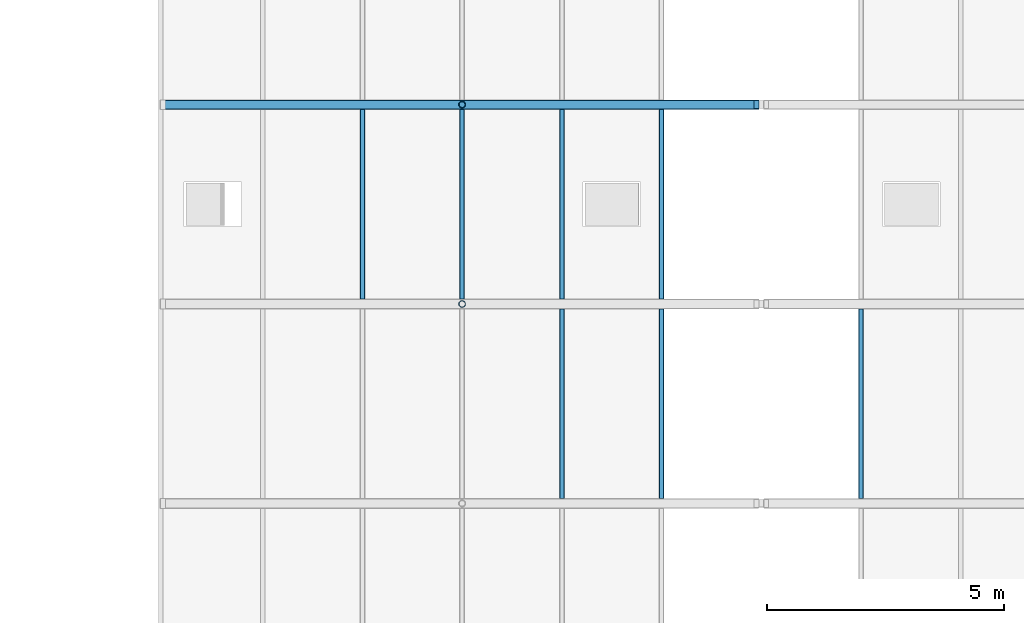
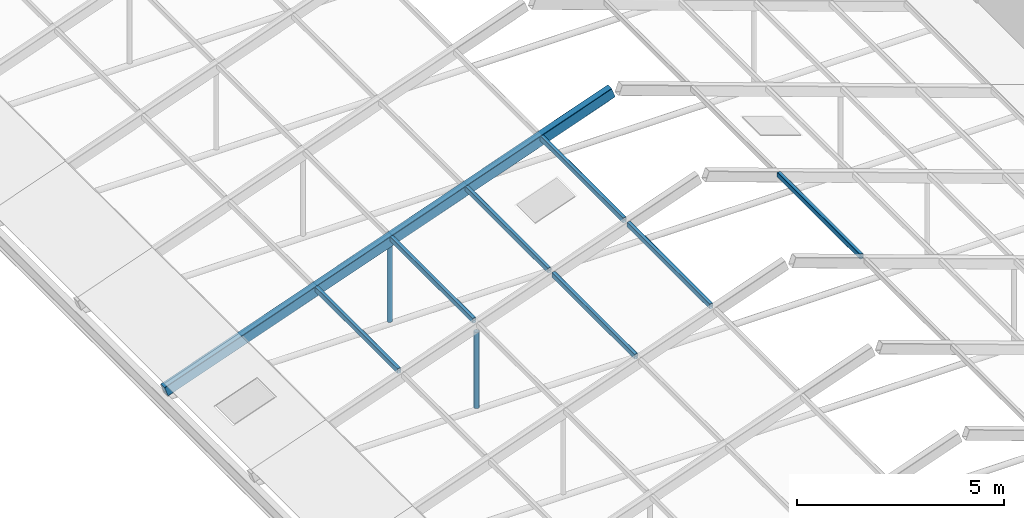
# One storey, part 43 of 116: 10 members.
"""IFC4 building model written with IfcOpenShell, lengths in metres."""

import ifcopenshell
import ifcopenshell.guid

model = None  # the IFC model being written
_history = None  # IfcOwnerHistory: only IFC2X3 demands one
_inside = {}  # id of a spatial element -> (the spatial element, [elements in it])
_under = {}  # id of a project, library or spatial element -> (it, [spatial elements below it])
_declared = {}  # id of a project -> (the project, [libraries it declares])
_typed = {}  # id of a type object -> (the type object, [elements of that type])
_made_of = {}  # id of a material, layer set ... -> (it, [elements and type objects made of it])


def new_model(schema):
    """Start an empty IFC model of exactly this schema.

    Asked for "IFC4X3", IfcOpenShell would pick the latest addendum, in which some entities
    have other attributes; the version numbers below select the first issue.
    IFC2X3 requires an IfcOwnerHistory on every rooted entity: one is made here for all.
    """
    global model, _history
    if schema == "IFC4X3":
        model = ifcopenshell.file(schema_version=(4, 3, 0, 0))
    else:
        model = ifcopenshell.file(schema=schema)
    _inside.clear()
    _under.clear()
    _declared.clear()
    _typed.clear()
    _made_of.clear()
    _history = None
    if model.schema == "IFC2X3":
        org = make("IfcOrganization", Name="unknown")
        user = make(
            "IfcPersonAndOrganization",
            ThePerson=make("IfcPerson", FamilyName="unknown"),
            TheOrganization=org,
        )
        app = make(
            "IfcApplication",
            ApplicationDeveloper=org,
            Version="unknown",
            ApplicationFullName="unknown",
            ApplicationIdentifier="unknown",
        )
        _history = make(
            "IfcOwnerHistory",
            OwningUser=user,
            OwningApplication=app,
            ChangeAction="ADDED",
            CreationDate=0,
        )
    return model


def make(cls, **values):
    """One entity of the class cls with the attributes given. An attribute that is None is left unset."""
    return model.create_entity(
        cls, **{name: value for name, value in values.items() if value is not None}
    )


def rooted(cls, **values):
    """An entity with a GlobalId (a new one), such as an element, a storey or a relation."""
    return make(cls, GlobalId=ifcopenshell.guid.new(), OwnerHistory=_history, **values)


def si_unit(unit_type, name, prefix=None):
    """IfcSIUnit, for example si_unit("LENGTHUNIT", "METRE", prefix="MILLI")."""
    return make("IfcSIUnit", UnitType=unit_type, Prefix=prefix, Name=name)


def assignment(units):
    """IfcUnitAssignment: the units of a project."""
    return None if units is None else make("IfcUnitAssignment", Units=units)


def point(xyz):
    """IfcCartesianPoint."""
    return None if xyz is None else make("IfcCartesianPoint", Coordinates=xyz)


def direction(xyz):
    """IfcDirection."""
    return None if xyz is None else make("IfcDirection", DirectionRatios=xyz)


def frame(location, z_axis=None, x_axis=None):
    """IfcAxis2Placement3D, a coordinate frame: its origin and axes. An axis left out is left unset."""
    return make(
        "IfcAxis2Placement3D",
        Location=point(location),
        Axis=direction(z_axis),
        RefDirection=direction(x_axis),
    )


def frame_2d(location, x_axis=None):
    """IfcAxis2Placement2D, a coordinate frame in the plane: its origin and x axis."""
    return make(
        "IfcAxis2Placement2D", Location=point(location), RefDirection=direction(x_axis)
    )


def origin():
    """The frame at (0, 0, 0) with its axes left unset."""
    return frame((0.0, 0.0, 0.0))


def origin_2d():
    """The frame at (0, 0) in the plane with its x axis left unset."""
    return frame_2d((0.0, 0.0))


def place(relative_to, where):
    """IfcLocalPlacement: puts the frame where relative to a parent placement (None: the world)."""
    return make(
        "IfcLocalPlacement", PlacementRelTo=relative_to, RelativePlacement=where
    )


def context(
    kind, dimensions, precision=None, world=None, true_north=None, identifier=None
):
    """IfcGeometricRepresentationContext, for example the 3D "Model" context."""
    return make(
        "IfcGeometricRepresentationContext",
        ContextIdentifier=identifier,
        ContextType=kind,
        CoordinateSpaceDimension=dimensions,
        Precision=precision,
        WorldCoordinateSystem=world,
        TrueNorth=true_north,
    )


def subcontext(parent, identifier, kind, view, scale=None):
    """IfcGeometricRepresentationSubContext, for example "Body" below "Model"."""
    return make(
        "IfcGeometricRepresentationSubContext",
        ContextIdentifier=identifier,
        ContextType=kind,
        ParentContext=parent,
        TargetScale=scale,
        TargetView=view,
    )


def project(units=None, contexts=None):
    """IfcProject with its units and contexts."""
    return rooted(
        "IfcProject",
        Name="project",
        RepresentationContexts=contexts,
        UnitsInContext=assignment(units),
    )


def spatial(cls, under=None, at=None, **own):
    """A site, building, storey or space (cls), placed at a placement, below another one or the project."""
    s = rooted(cls, ObjectPlacement=at, **own)
    if under is not None:
        _under.setdefault(under.id(), (under, []))[1].append(s)
    return s


def profile(cls, at=None, kind="AREA", **sizes):
    """A parametric profile (cls). Its sizes go by their IFC names, for example OverallWidth=200.0."""
    return make(cls, ProfileType=kind, Position=at, **sizes)


def hollow_rectangle(**sizes):
    """IfcRectangleHollowProfileDef."""
    return profile("IfcRectangleHollowProfileDef", **sizes)


def hollow_circle(**sizes):
    """IfcCircleHollowProfileDef."""
    return profile("IfcCircleHollowProfileDef", **sizes)


def extrude(swept, where, along, depth):
    """IfcExtrudedAreaSolid: the profile swept, set in the frame where, extruded along a direction by depth."""
    return make(
        "IfcExtrudedAreaSolid",
        SweptArea=swept,
        Position=where,
        ExtrudedDirection=direction(along),
        Depth=depth,
    )


def shape(context_of_items, identifier, shape_type, items):
    """IfcShapeRepresentation: the items that make up one representation, for example the "Body"."""
    return make(
        "IfcShapeRepresentation",
        ContextOfItems=context_of_items,
        RepresentationIdentifier=identifier,
        RepresentationType=shape_type,
        Items=items,
    )


def material(Name=None, Category=None):
    """IfcMaterial."""
    return make("IfcMaterial", Name=Name, Category=Category)


def material_profile(
    of_material, cross_section, Name=None, Category=None, Priority=None
):
    """IfcMaterialProfile: a cross section and its material."""
    return make(
        "IfcMaterialProfile",
        Name=Name,
        Material=of_material,
        Profile=cross_section,
        Priority=Priority,
        Category=Category,
    )


def profile_set(profiles, Name=None, composite=None):
    """IfcMaterialProfileSet."""
    return make(
        "IfcMaterialProfileSet",
        Name=Name,
        MaterialProfiles=profiles,
        CompositeProfile=composite,
    )


def made_of(thing, what):
    """Note that an element or type object is made of a material, layer set ...; save() writes the relation."""
    if what is not None:
        _made_of.setdefault(what.id(), (what, []))[1].append(thing)
    return thing


def type_object(cls, material=None, **own):
    """A type object (cls), such as IfcWallType, which elements share."""
    return made_of(rooted(cls, **own), material)


def element(
    cls,
    number,
    at=None,
    inside=None,
    cuts=None,
    type_object=None,
    material=None,
    context=None,
    identifier="Body",
    shape_type=None,
    held_by="IfcProductDefinitionShape",
    body=None,
    shapes=None,
    **own,
):
    """One element of the class cls, such as IfcWall. Its Tag is "e" and its number.

    at: its placement. inside: the storey or other place that contains it. cuts: it is an
    opening in that element (IfcRelVoidsElement). A single representation is given by context,
    identifier, shape_type and body (its items); several are given by shapes. held_by: the class
    of the entity that holds the representations. save() writes the other relations.
    """
    e = rooted(cls, Tag="e%d" % number, ObjectPlacement=at, **own)
    if body is not None:
        shapes = [shape(context, identifier, shape_type, body)]
    if shapes is not None:
        e.Representation = make(held_by, Representations=shapes)
    if inside is not None:
        _inside.setdefault(inside.id(), (inside, []))[1].append(e)
    if cuts is not None:
        rooted(
            "IfcRelVoidsElement", RelatingBuildingElement=cuts, RelatedOpeningElement=e
        )
    if type_object is not None:
        _typed.setdefault(type_object.id(), (type_object, []))[1].append(e)
    return made_of(e, material)


def aggregate(whole, parts):
    """IfcRelAggregates: a whole, such as a stair, and the parts it consists of."""
    return rooted("IfcRelAggregates", RelatingObject=whole, RelatedObjects=parts)


def save(model, path):
    """Write the relations noted so far, then the file.

    IfcRelAggregates (storeys below a building ...), IfcRelContainedInSpatialStructure (elements
    in a storey), IfcRelDefinesByType, IfcRelAssociatesMaterial and IfcRelDeclares: one each for
    every whole, place, type object, material and project.
    """
    for whole, parts in _under.values():
        aggregate(whole, parts)
    for where, things in _inside.values():
        rooted(
            "IfcRelContainedInSpatialStructure",
            RelatedElements=things,
            RelatingStructure=where,
        )
    for kind, things in _typed.values():
        rooted("IfcRelDefinesByType", RelatedObjects=things, RelatingType=kind)
    for what, things in _made_of.values():
        rooted("IfcRelAssociatesMaterial", RelatedObjects=things, RelatingMaterial=what)
    for by, libraries in _declared.values():
        rooted("IfcRelDeclares", RelatingContext=by, RelatedDefinitions=libraries)
    model.write(path)


model = new_model("IFC4")

# Units and contexts
model_context = context("Model", 3, precision=1e-05, world=origin(), true_north=direction((0.0, 1.0)))
body_context = subcontext(model_context, "Body", "Model", "MODEL_VIEW")
ifc_project = project(units=[si_unit("LENGTHUNIT", "METRE"), si_unit("AREAUNIT", "SQUARE_METRE"), si_unit("VOLUMEUNIT", "CUBIC_METRE"), si_unit("PLANEANGLEUNIT", "RADIAN"), si_unit("MASSUNIT", "GRAM", prefix="KILO")], contexts=[model_context])

# Site, building, storey
site_placement = place(None, origin())
site = spatial("IfcSite", under=ifc_project, at=site_placement, CompositionType="ELEMENT")
building_placement = place(site_placement, origin())
building = spatial("IfcBuilding", under=site, at=building_placement, Name="Fescue Hill Polytechnic", CompositionType="ELEMENT")
storey_placement = place(building_placement, frame((0.0, 0.0, 13.5)))
storey = spatial("IfcBuildingStorey", under=building, at=storey_placement, Name="L03", CompositionType="ELEMENT", Elevation=13.5)

# Members
ifc_material = material(Name="Steel 350W (350 MPa)", Category="steel")
ifc_material_profile_1 = material_profile(ifc_material, hollow_rectangle(XDim=0.1015625, YDim=0.15234375, WallThickness=0.00634765625, InnerFilletRadius=0.00634765625, OuterFilletRadius=0.0126953125, at=origin_2d()), Name="Winter garden glazing purlin HSS 152x102x6.4")
ifc_profile_set_1 = profile_set([ifc_material_profile_1], Name="Steel 350W (350 MPa)")
member_type_1 = type_object("IfcMemberType", Name="Winter garden glazing purlin HSS 152x102x6.4", PredefinedType="PURLIN", material=ifc_profile_set_1)
for number, where, z_axis, x_axis, name in (
    (1, (100.799560546875, 63.1015625, 3.664306640625), (0.0, 1.0, 0.0), (-1.0, 0.0, 0.0), "Winter garden glazing purlin W4 bay 4"),
    (2, (102.899658203125, 63.1015625, 4.414306640625), (0.0, 1.0, 0.0), (-1.0, 0.0, 0.0), "Winter garden glazing purlin W5 bay 4"),
    (3, (96.599853515625, 67.301513671875, 2.164306640625), (0.0, 1.0, 0.0), (-1.0, 0.0, 0.0), "Winter garden glazing purlin W2 bay 5"),
    (4, (98.69970703125, 67.301513671875, 2.914306640625), (0.0, 1.0, 0.0), (-1.0, 0.0, 0.0), "Winter garden glazing purlin W3 bay 5"),
    (5, (100.799560546875, 67.301513671875, 3.664306640625), (0.0, 1.0, 0.0), (-1.0, 0.0, 0.0), "Winter garden glazing purlin W4 bay 5"),
    (6, (102.899658203125, 67.301513671875, 4.414306640625), (0.0, 1.0, 0.0), (-1.0, 0.0, 0.0), "Winter garden glazing purlin W5 bay 5"),
    (7, (107.100341796875, 63.1015625, 4.414306640625), (0.0, 1.0, 0.0), (-1.0, 0.0, 0.0), "Winter garden glazing purlin E5 bay 4"),
):
    element("IfcMember", number, at=place(storey_placement, frame(where, z_axis=z_axis, x_axis=x_axis)), inside=storey, type_object=member_type_1, Name=name, PredefinedType="PURLIN", context=body_context, shape_type="SweptSolid", body=[
        extrude(hollow_rectangle(XDim=0.1015625, YDim=0.15234375, WallThickness=0.00634765625, InnerFilletRadius=0.00634765625, OuterFilletRadius=0.0126953125, at=origin_2d()), origin(), (0.0, 0.0, 1.0), 3.996826171875),
    ])
ifc_material_profile_2 = material_profile(ifc_material, hollow_circle(Radius=0.070556640625, WallThickness=0.00634765625, at=origin_2d()), Name="Winter garden queen post CHS 141x6.4")
ifc_profile_set_2 = profile_set([ifc_material_profile_2], Name="Steel 350W (350 MPa)")
member_type_2 = type_object("IfcMemberType", Name="Winter garden queen post CHS 141x6.4", PredefinedType="POST", material=ifc_profile_set_2)
for number, where, z_axis, x_axis, name in (
    (8, (98.699951171875, 67.199951171875, 0.4169921875), (0.0, 0.0, 1.0), (1.0, 0.0, 0.0), "Winter garden queen post 5A"),
    (9, (98.699951171875, 71.39990234375, 0.4169921875), (0.0, 0.0, 1.0), (1.0, 0.0, 0.0), "Winter garden queen post 6A"),
):
    element("IfcMember", number, at=place(storey_placement, frame(where, z_axis=z_axis, x_axis=x_axis)), inside=storey, type_object=member_type_2, Name=name, PredefinedType="POST", context=body_context, shape_type="SweptSolid", body=[
        extrude(hollow_circle(Radius=0.070556640625, WallThickness=0.00634765625, at=origin_2d()), origin(), (0.0, 0.0, 1.0), 2.25),
    ])
ifc_material_profile_3 = material_profile(ifc_material, hollow_rectangle(XDim=0.203125, YDim=0.3046875, WallThickness=0.009521484375, InnerFilletRadius=0.009521484375, OuterFilletRadius=0.01904296875, at=origin_2d()), Name="Winter garden rafter HSS 305x203x9.5")
ifc_profile_set_3 = profile_set([ifc_material_profile_3], Name="Steel 350W (350 MPa)")
member_type_3 = type_object("IfcMemberType", Name="Winter garden rafter HSS 305x203x9.5", PredefinedType="RAFTER", material=ifc_profile_set_3)
member_placement = place(storey_placement, frame((92.39990234375, 71.39990234375, 0.578857421875), z_axis=(0.941740247025, 0.0, 0.336341057756), x_axis=(0.0, 1.0, 0.0)))
element("IfcMember", 10, at=member_placement, inside=storey, type_object=member_type_3, Name="Winter garden rafter W6", PredefinedType="RAFTER", context=body_context, shape_type="SweptSolid", body=[
    extrude(hollow_rectangle(XDim=0.203125, YDim=0.3046875, WallThickness=0.009521484375, InnerFilletRadius=0.009521484375, OuterFilletRadius=0.01904296875, at=origin_2d()), origin(), (0.0, 0.0, 1.0), 13.273193359375),
])

save(model, "model.ifc")
